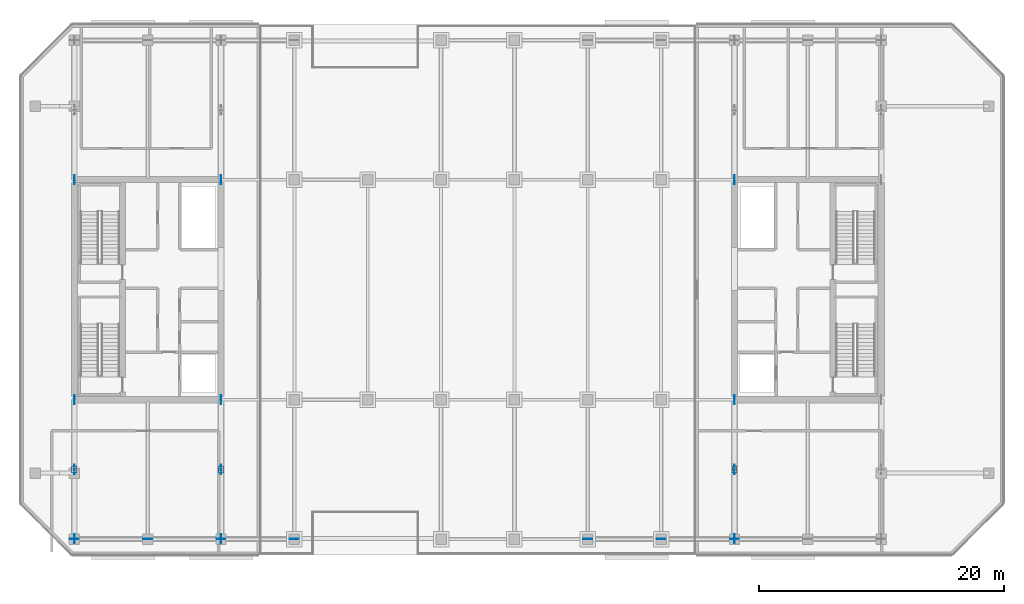
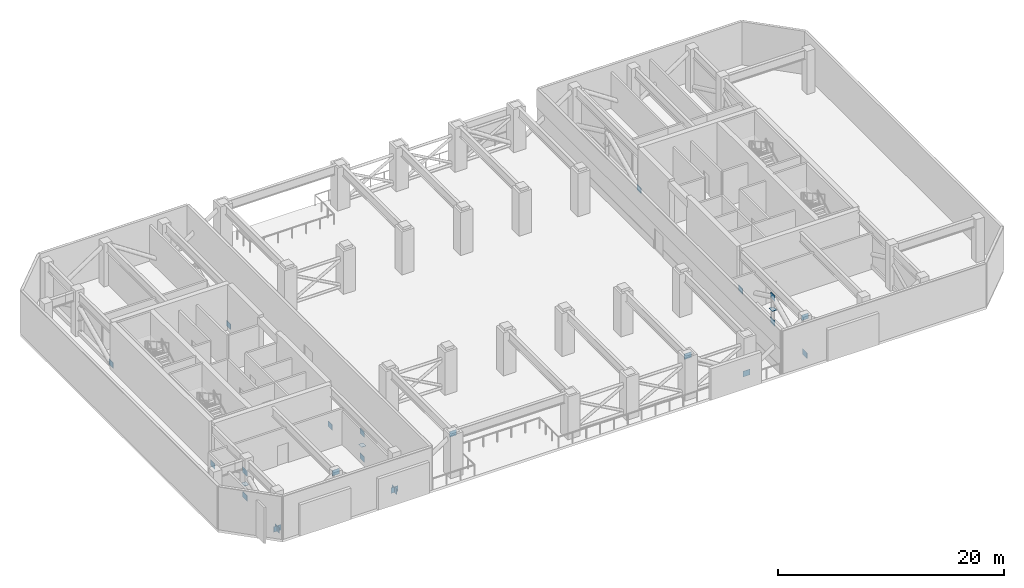
# One storey, part 8 of 18: 25 plates.
"""IFC4 building model written with IfcOpenShell, lengths in metres."""

from ifc_helpers import new_model, si_unit, direction, frame, origin, origin_2d, place, context, subcontext, project, spatial, rectangle, extrude, material, layer, layer_set, type_object, element, save


model = new_model("IFC4")

# Units and contexts
model_context = context("Model", 3, precision=1e-05, world=origin(), true_north=direction((0.0, 1.0)))
body_context = subcontext(model_context, "Body", "Model", "MODEL_VIEW")
ifc_project = project(units=[si_unit("LENGTHUNIT", "METRE"), si_unit("AREAUNIT", "SQUARE_METRE"), si_unit("VOLUMEUNIT", "CUBIC_METRE"), si_unit("PLANEANGLEUNIT", "RADIAN"), si_unit("MASSUNIT", "GRAM", prefix="KILO")], contexts=[model_context])

# Site, building, storey
site_placement = place(None, origin())
site = spatial("IfcSite", under=ifc_project, at=site_placement, CompositionType="ELEMENT")
building_placement = place(site_placement, origin())
building = spatial("IfcBuilding", under=site, at=building_placement, Name="Tanjung Sevakor Pilgrim Tower", CompositionType="ELEMENT")
storey_placement = place(building_placement, frame((0.0, 0.0, 172.919921875)))
storey = spatial("IfcBuildingStorey", under=building, at=storey_placement, Name="L48", CompositionType="ELEMENT", Elevation=172.919921875)

# Plates
ifc_material_1 = material(Name="Steel S460M", Category="steel")
ifc_layer_1 = layer(ifc_material_1, 0.028076171875)
ifc_layer_set_1 = layer_set([ifc_layer_1], Name="PL-CAP-28")
plate_type_1 = type_object("IfcPlateType", Name="PL-CAP-28", PredefinedType="USERDEFINED", material=ifc_layer_set_1)
for number, where, z_axis, x_axis, name in (
    (1, (24.0, 18.89990234375, 1.68115234375), (0.0, 0.0, 1.0), (1.0, 0.0, 0.0), "L48 Hollow End Cap Plate 017"),
    (2, (36.0, 18.89990234375, 1.68115234375), (0.0, 0.0, 1.0), (1.0, 0.0, 0.0), "L48 Hollow End Cap Plate 019"),
    (3, (78.0, 18.89990234375, 1.68115234375), (0.0, 0.0, 1.0), (1.0, 0.0, 0.0), "L48 Hollow End Cap Plate 021"),
):
    element("IfcPlate", number, at=place(storey_placement, frame(where, z_axis=z_axis, x_axis=x_axis)), inside=storey, type_object=plate_type_1, Name=name, ObjectType="CAP PLATE", PredefinedType="USERDEFINED", context=body_context, shape_type="SweptSolid", body=[
        extrude(rectangle(XDim=0.43994140625, YDim=0.56005859375, at=origin_2d()), origin(), (0.0, 0.0, 1.0), 0.028076171875),
    ])
ifc_material_2 = material(Name="Steel S460M", Category="steel")
ifc_layer_2 = layer(ifc_material_2, 0.031982421875)
ifc_layer_set_2 = layer_set([ifc_layer_2], Name="PL-GUSSET-32")
plate_type_2 = type_object("IfcPlateType", Name="PL-GUSSET-32", PredefinedType="USERDEFINED", material=ifc_layer_set_2)
for number, where, z_axis, x_axis, name in (
    (4, (24.0, 13.199951171875, 0.050048828125), (0.0, 0.0, 1.0), (1.0, 0.0, 0.0), "L48 Outrigger Gusset 101"),
    (5, (24.0, 18.89990234375, 0.050048828125), (0.0, 0.0, 1.0), (1.0, 0.0, 0.0), "L48 Outrigger Gusset 102"),
    (6, (24.0, 24.60009765625, 0.050048828125), (0.0, 0.0, 1.0), (1.0, 0.0, 0.0), "L48 Core Wall Cast-In Embed Plate 103"),
    (7, (24.0, 18.89990234375, 2.739990234375), (0.0, 0.0, 1.0), (1.0, 0.0, 0.0), "L48 Outrigger Gusset 104"),
    (8, (24.0, 42.60009765625, 0.050048828125), (0.0, 0.0, 1.0), (1.0, 0.0, 0.0), "L48 Core Wall Cast-In Embed Plate 105"),
    (9, (36.0, 13.199951171875, 0.050048828125), (0.0, 0.0, 1.0), (1.0, 0.0, 0.0), "L48 Outrigger Gusset 109"),
    (10, (36.0, 18.89990234375, 0.050048828125), (0.0, 0.0, 1.0), (1.0, 0.0, 0.0), "L48 Outrigger Gusset 110"),
    (11, (36.0, 24.60009765625, 0.050048828125), (0.0, 0.0, 1.0), (1.0, 0.0, 0.0), "L48 Core Wall Cast-In Embed Plate 111"),
    (12, (36.0, 18.89990234375, 2.739990234375), (0.0, 0.0, 1.0), (1.0, 0.0, 0.0), "L48 Outrigger Gusset 112"),
    (13, (36.0, 42.60009765625, 0.050048828125), (0.0, 0.0, 1.0), (1.0, 0.0, 0.0), "L48 Core Wall Cast-In Embed Plate 113"),
    (14, (78.0, 13.199951171875, 0.050048828125), (0.0, 0.0, 1.0), (1.0, 0.0, 0.0), "L48 Outrigger Gusset 117"),
    (15, (78.0, 18.89990234375, 0.050048828125), (0.0, 0.0, 1.0), (1.0, 0.0, 0.0), "L48 Outrigger Gusset 118"),
    (16, (78.0, 24.60009765625, 0.050048828125), (0.0, 0.0, 1.0), (1.0, 0.0, 0.0), "L48 Core Wall Cast-In Embed Plate 119"),
    (17, (78.0, 18.89990234375, 2.739990234375), (0.0, 0.0, 1.0), (1.0, 0.0, 0.0), "L48 Outrigger Gusset 120"),
    (18, (78.0, 42.60009765625, 0.050048828125), (0.0, 0.0, 1.0), (1.0, 0.0, 0.0), "L48 Core Wall Cast-In Embed Plate 121"),
):
    element("IfcPlate", number, at=place(storey_placement, frame(where, z_axis=z_axis, x_axis=x_axis)), inside=storey, type_object=plate_type_2, Name=name, ObjectType="GUSSET PLATE", PredefinedType="USERDEFINED", context=body_context, shape_type="SweptSolid", body=[
        extrude(rectangle(XDim=0.031982421875, YDim=0.760009765625, at=origin_2d()), origin(), (0.0, 0.0, 1.0), 0.60009765625),
    ])
for number, where, z_axis, x_axis, name in (
    (19, (24.0, 13.199951171875, 0.050048828125), (0.0, 0.0, 1.0), (1.0, 0.0, 0.0), "L48 Belt Truss Node Gusset 133"),
    (20, (30.0, 13.199951171875, 4.0361328125), (0.0, 0.0, 1.0), (1.0, 0.0, 0.0), "L48 Belt Truss Node Gusset 134"),
    (21, (36.0, 13.199951171875, 0.050048828125), (0.0, 0.0, 1.0), (1.0, 0.0, 0.0), "L48 Belt Truss Node Gusset 135"),
    (22, (42.0, 13.199951171875, 4.0361328125), (0.0, 0.0, 1.0), (1.0, 0.0, 0.0), "L48 Belt Truss Node Gusset 136"),
    (23, (66.0, 13.199951171875, 4.0361328125), (0.0, 0.0, 1.0), (1.0, 0.0, 0.0), "L48 Belt Truss Node Gusset 137"),
    (24, (72.0, 13.199951171875, 0.050048828125), (0.0, 0.0, 1.0), (1.0, 0.0, 0.0), "L48 Belt Truss Node Gusset 138"),
    (25, (78.0, 13.199951171875, 4.0361328125), (0.0, 0.0, 1.0), (1.0, 0.0, 0.0), "L48 Belt Truss Node Gusset 139"),
):
    element("IfcPlate", number, at=place(storey_placement, frame(where, z_axis=z_axis, x_axis=x_axis)), inside=storey, type_object=plate_type_2, Name=name, ObjectType="GUSSET PLATE", PredefinedType="USERDEFINED", context=body_context, shape_type="SweptSolid", body=[
        extrude(rectangle(XDim=0.719970703125, YDim=0.031982421875, at=origin_2d()), origin(), (0.0, 0.0, 1.0), 0.60009765625),
    ])

save(model, "model.ifc")
